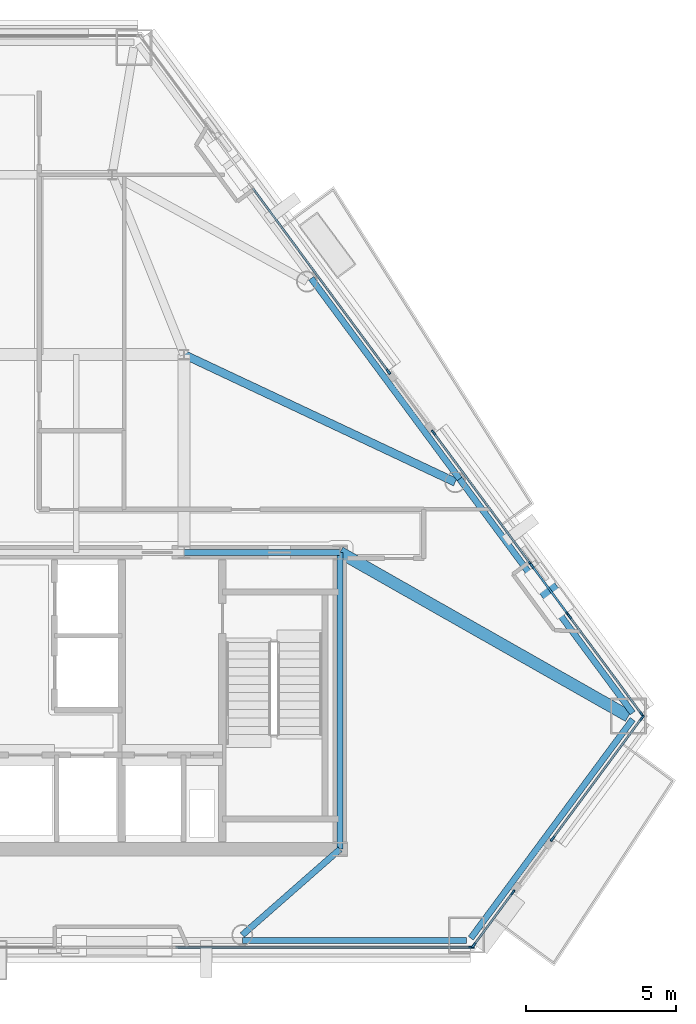
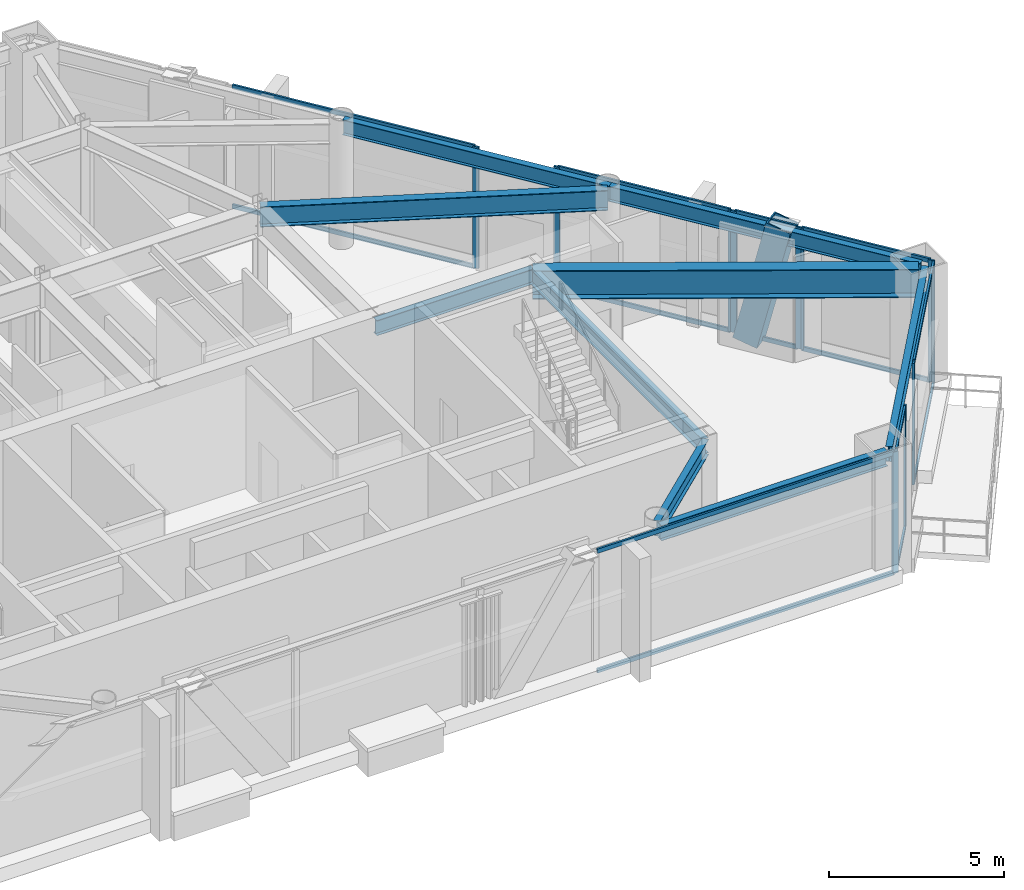
# One storey, part 5 of 11: 27 members, 9 beams, 7 elements without a shape of their own.
"""IFC4 building model written with IfcOpenShell, lengths in metres."""

from ifc_helpers import new_model, si_unit, direction, frame, origin, origin_2d, place, context, subcontext, project, spatial, rectangle, hollow_rectangle, i_section, extrude, material, layer, layer_set, material_profile, profile_set, type_object, element, aggregate, save


model = new_model("IFC4")

# Units and contexts
model_context = context("Model", 3, precision=1e-05, world=origin(), true_north=direction((0.0, 1.0)))
body_context = subcontext(model_context, "Body", "Model", "MODEL_VIEW")
ifc_project = project(units=[si_unit("LENGTHUNIT", "METRE"), si_unit("AREAUNIT", "SQUARE_METRE"), si_unit("VOLUMEUNIT", "CUBIC_METRE"), si_unit("PLANEANGLEUNIT", "RADIAN"), si_unit("MASSUNIT", "GRAM", prefix="KILO")], contexts=[model_context])

# Site, building, storey
site_placement = place(None, origin())
site = spatial("IfcSite", under=ifc_project, at=site_placement, CompositionType="ELEMENT")
building_placement = place(site_placement, origin())
building = spatial("IfcBuilding", under=site, at=building_placement, Name="Talgorran Terracotta Tower", CompositionType="ELEMENT")
storey_placement = place(building_placement, frame((0.0, 0.0, 117.60009765625)))
storey = spatial("IfcBuildingStorey", under=building, at=storey_placement, Name="L30", CompositionType="ELEMENT", Elevation=117.60009765625)

# Beams
ifc_material_1 = material(Name="Steel Grade 350 (350L0)", Category="steel")
ifc_material_profile_1 = material_profile(ifc_material_1, i_section(OverallWidth=0.39990234375, OverallDepth=1.0, WebThickness=0.01611328125, FlangeThickness=0.031005859375, at=origin_2d()), Name="1000WB296")
ifc_profile_set_1 = profile_set([ifc_material_profile_1], Name="Steel Grade 350 (350L0)")
beam_type_1 = type_object("IfcBeamType", Name="BM_1000WB296", PredefinedType="BEAM", material=ifc_profile_set_1)
beam_1_placement = place(storey_placement, frame((12.39990234375, -4.199951171875, 3.75), z_axis=(0.869581927132, -0.493788691654, 0.0), x_axis=(0.493788691654, 0.869581927132, 0.0)))
element("IfcBeam", 1, at=beam_1_placement, inside=storey, type_object=beam_type_1, Name="L30 Floor Girder G18", PredefinedType="BEAM", context=body_context, shape_type="SweptSolid", body=[
    extrude(i_section(OverallWidth=0.39990234375, OverallDepth=1.0, WebThickness=0.01611328125, FlangeThickness=0.031005859375, at=origin_2d()), origin(), (0.0, 0.0, 1.0), 11.061279296875),
])
ifc_material_2 = material(Name="Steel S355 (300PLUS)", Category="steel")
ifc_material_profile_2 = material_profile(ifc_material_2, i_section(OverallWidth=0.27490234375, OverallDepth=0.7080078125, WebThickness=0.011962890625, FlangeThickness=0.02490234375, at=origin_2d()), Name="700WB173")
ifc_profile_set_2 = profile_set([ifc_material_profile_2], Name="Steel S355 (300PLUS)")
beam_type_2 = type_object("IfcBeamType", Name="BM_700WB173", PredefinedType="BEAM", material=ifc_profile_set_2)
beam_2_placement = place(storey_placement, frame((7.199951171875, 2.39990234375, 3.89599609375), z_axis=(0.904850249914, -0.425729990992, 0.0), x_axis=(0.425729990992, 0.904850249914, 0.0)))
element("IfcBeam", 2, at=beam_2_placement, inside=storey, type_object=beam_type_2, Name="L30 Floor Girder G07", PredefinedType="BEAM", context=body_context, shape_type="SweptSolid", body=[
    extrude(i_section(OverallWidth=0.27490234375, OverallDepth=0.7080078125, WebThickness=0.011962890625, FlangeThickness=0.02490234375, at=origin_2d()), origin(), (0.0, 0.0, 1.0), 9.99609375),
])
ifc_material_profile_3 = material_profile(ifc_material_2, i_section(OverallWidth=0.209228515625, OverallDepth=0.532958984375, WebThickness=0.01025390625, FlangeThickness=0.015625, at=origin_2d()), Name="530UB92.4")
ifc_profile_set_3 = profile_set([ifc_material_profile_3], Name="Steel S355 (300PLUS)")
beam_type_3 = type_object("IfcBeamType", Name="BM_SP_530UB92", PredefinedType="SPANDREL", material=ifc_profile_set_3)
beam_3_placement = place(storey_placement, frame((9.14013671875, -17.143310546875, 3.9833984375), z_axis=(1.0, 0.0, 0.0), x_axis=(0.0, 1.0, 0.0)))
element("IfcBeam", 3, at=beam_3_placement, inside=storey, type_object=beam_type_3, Name="L30 Perimeter Spandrel Beam FC2-MC3", PredefinedType="SPANDREL", context=body_context, shape_type="SweptSolid", body=[
    extrude(i_section(OverallWidth=0.209228515625, OverallDepth=0.532958984375, WebThickness=0.01025390625, FlangeThickness=0.015625, at=origin_2d()), origin(), (0.0, 0.0, 1.0), 7.478271484375),
])
beam_4_placement = place(storey_placement, frame((16.762939453125, -17.0703125, 3.9833984375), z_axis=(0.594631406603, 0.803998439228, 0.0), x_axis=(-0.803998439228, 0.594631406603, 0.0)))
element("IfcBeam", 4, at=beam_4_placement, inside=storey, type_object=beam_type_3, Name="L30 Perimeter Spandrel Beam MC3-MC4", PredefinedType="SPANDREL", context=body_context, shape_type="SweptSolid", body=[
    extrude(i_section(OverallWidth=0.209228515625, OverallDepth=0.532958984375, WebThickness=0.01025390625, FlangeThickness=0.015625, at=origin_2d()), origin(), (0.0, 0.0, 1.0), 9.08154296875),
])
beam_5_placement = place(storey_placement, frame((22.1630859375, -9.554931640625, 3.9833984375), z_axis=(-0.594623640759, 0.804004182732, 0.0), x_axis=(-0.804004182732, -0.594623640759, 0.0)))
element("IfcBeam", 5, at=beam_5_placement, inside=storey, type_object=beam_type_3, Name="L30 Perimeter Spandrel Beam MC4-FC3", PredefinedType="SPANDREL", context=body_context, shape_type="SweptSolid", body=[
    extrude(i_section(OverallWidth=0.209228515625, OverallDepth=0.532958984375, WebThickness=0.01025390625, FlangeThickness=0.015625, at=origin_2d()), origin(), (0.0, 0.0, 1.0), 9.70947265625),
])
beam_6_placement = place(storey_placement, frame((16.3896484375, -1.74853515625, 3.9833984375), z_axis=(-0.594631062308, 0.803998693866, 0.0), x_axis=(-0.803998693866, -0.594631062308, 0.0)))
element("IfcBeam", 6, at=beam_6_placement, inside=storey, type_object=beam_type_3, Name="L30 Perimeter Spandrel Beam FC3-FC4", PredefinedType="SPANDREL", context=body_context, shape_type="SweptSolid", body=[
    extrude(i_section(OverallWidth=0.209228515625, OverallDepth=0.532958984375, WebThickness=0.01025390625, FlangeThickness=0.015625, at=origin_2d()), origin(), (0.0, 0.0, 1.0), 8.322265625),
])
beam_7_placement = place(storey_placement, frame((12.39990234375, -14.10009765625, 3.9833984375), z_axis=(-0.751320451725, -0.659937556758, 0.0), x_axis=(0.659937556758, -0.751320451725, 0.0)))
element("IfcBeam", 7, at=beam_7_placement, inside=storey, type_object=beam_type_3, Name="L30 South-East Core Tie Beam", PredefinedType="SPANDREL", context=body_context, shape_type="SweptSolid", body=[
    extrude(i_section(OverallWidth=0.209228515625, OverallDepth=0.532958984375, WebThickness=0.01025390625, FlangeThickness=0.015625, at=origin_2d()), origin(), (0.0, 0.0, 1.0), 4.338623046875),
])
beam_8_placement = place(storey_placement, frame((12.39990234375, -14.10009765625, 3.9833984375), z_axis=(0.0, 1.0, 0.0), x_axis=(-1.0, 0.0, 0.0)))
element("IfcBeam", 8, at=beam_8_placement, inside=storey, type_object=beam_type_3, Name="L30 Core Frame Beam CFE", PredefinedType="SPANDREL", context=body_context, shape_type="SweptSolid", body=[
    extrude(i_section(OverallWidth=0.209228515625, OverallDepth=0.532958984375, WebThickness=0.01025390625, FlangeThickness=0.015625, at=origin_2d()), origin(), (0.0, 0.0, 1.0), 9.900146484375),
])
beam_9_placement = place(storey_placement, frame((7.199951171875, -4.199951171875, 3.9833984375), z_axis=(1.0, 0.0, 0.0), x_axis=(0.0, 1.0, 0.0)))
element("IfcBeam", 9, at=beam_9_placement, inside=storey, type_object=beam_type_3, Name="L30 Core Frame Beam CFN4", PredefinedType="SPANDREL", context=body_context, shape_type="SweptSolid", body=[
    extrude(i_section(OverallWidth=0.209228515625, OverallDepth=0.532958984375, WebThickness=0.01025390625, FlangeThickness=0.015625, at=origin_2d()), origin(), (0.0, 0.0, 1.0), 5.199951171875),
])

# Member
ifc_material_profile_4 = material_profile(ifc_material_1, hollow_rectangle(XDim=0.6201171875, YDim=0.780029296875, WallThickness=0.0419921875, at=origin_2d()), Name="WBOX780X620X42")
ifc_profile_set_4 = profile_set([ifc_material_profile_4], Name="Steel Grade 350 (350L0)")
member_type_1 = type_object("IfcMemberType", Name="MB_MEGA_780", PredefinedType="BRACE", material=ifc_profile_set_4)
member_1_placement = place(storey_placement, frame((19.063720703125, -5.06103515625, -0.025146484375), z_axis=(0.140147963335, -0.189530808683, 0.971821290636), x_axis=(0.804054507608, 0.594555589323, 0.0)))
element("IfcMember", 10, at=member_1_placement, inside=storey, type_object=member_type_1, Name="L30 Exterior Face Mega-Brace MB-2 (NEL)", PredefinedType="BRACE", context=body_context, shape_type="SweptSolid", body=[
    extrude(hollow_rectangle(XDim=0.6201171875, YDim=0.780029296875, WallThickness=0.0419921875, at=origin_2d()), origin(), (0.0, 0.0, 1.0), 4.4248046875),
])

# Curtain wall, member
ifc_material_3 = material(Name="Unitised Low-E Double Glazing", Category="glass")
ifc_layer = layer(ifc_material_3, 0.199951171875, Name="CW_SYS2_RES_LOW")
ifc_layer_set = layer_set([ifc_layer], Name="Unitised Low-E Double Glazing")
curtain_wall_type = type_object("IfcCurtainWallType", Name="CW_SYS2_RES_LOW", PredefinedType="NOTDEFINED", material=ifc_layer_set)
curtain_wall_1_placement = place(storey_placement, origin())
curtain_wall_1 = element("IfcCurtainWall", 11, at=curtain_wall_1_placement, inside=storey, type_object=curtain_wall_type, Name="CW-L30-F1E", PredefinedType="NOTDEFINED")
ifc_material_4 = material(Name="Architectural Aluminium 6063-T6", Category="aluminium")
ifc_material_profile_5 = material_profile(ifc_material_4, rectangle(XDim=0.06494140625, YDim=0.18505859375, at=origin_2d()), Name="CWM65X185")
ifc_profile_set_5 = profile_set([ifc_material_profile_5], Name="Architectural Aluminium 6063-T6")
member_type_2 = type_object("IfcMemberType", Name="MUL_65X185", PredefinedType="MULLION", material=ifc_profile_set_5)
member_2_placement = place(storey_placement, frame((16.78759765625, -17.36328125, 0.0), z_axis=(0.0, 0.0, 1.0), x_axis=(0.0, 1.0, 0.0)))
member_2 = element("IfcMember", 12, at=member_2_placement, type_object=member_type_2, Name="CW-L30-1E mullion 2", PredefinedType="MULLION", context=body_context, shape_type="SweptSolid", body=[
    extrude(rectangle(XDim=0.06494140625, YDim=0.18505859375, at=origin_2d()), origin(), (0.0, 0.0, 1.0), 4.25),
])

# Curtain wall, members
curtain_wall_2_placement = place(storey_placement, origin())
curtain_wall_2 = element("IfcCurtainWall", 13, at=curtain_wall_2_placement, inside=storey, type_object=curtain_wall_type, Name="CW-L30-F30", PredefinedType="NOTDEFINED")
member_3_placement = place(storey_placement, frame((16.863037109375, -17.304931640625, 0.0), z_axis=(0.0, 0.0, 1.0), x_axis=(-0.803996537397, 0.594633978052, 0.0)))
member_3 = element("IfcMember", 14, at=member_3_placement, type_object=member_type_2, Name="CW-L30-30 mullion 1", PredefinedType="MULLION", context=body_context, shape_type="SweptSolid", body=[
    extrude(rectangle(XDim=0.06494140625, YDim=0.18505859375, at=origin_2d()), origin(), (0.0, 0.0, 1.0), 4.25),
])
member_4_placement = place(storey_placement, frame((18.16650390625, -15.542724609375, 0.0), z_axis=(0.0, 0.0, 1.0), x_axis=(-0.803996537397, 0.594633978052, 0.0)))
member_4 = element("IfcMember", 15, at=member_4_placement, type_object=member_type_2, Name="CW-L30-30 mullion 2", PredefinedType="MULLION", context=body_context, shape_type="SweptSolid", body=[
    extrude(rectangle(XDim=0.06494140625, YDim=0.18505859375, at=origin_2d()), origin(), (0.0, 0.0, 1.0), 4.25),
])

curtain_wall_3_placement = place(storey_placement, origin())
curtain_wall_3 = element("IfcCurtainWall", 16, at=curtain_wall_3_placement, inside=storey, type_object=curtain_wall_type, Name="CW-L30-F31", PredefinedType="NOTDEFINED")
member_5_placement = place(storey_placement, frame((19.489501953125, -13.75390625, 0.0), z_axis=(0.0, 0.0, 1.0), x_axis=(-0.80398921678, 0.594643876032, 0.0)))
member_5 = element("IfcMember", 17, at=member_5_placement, type_object=member_type_2, Name="CW-L30-31 mullion 1", PredefinedType="MULLION", context=body_context, shape_type="SweptSolid", body=[
    extrude(rectangle(XDim=0.06494140625, YDim=0.18505859375, at=origin_2d()), origin(), (0.0, 0.0, 1.0), 4.25),
])
member_6_placement = place(storey_placement, frame((22.472900390625, -9.72021484375, 0.0), z_axis=(0.0, 0.0, 1.0), x_axis=(-0.80398921678, 0.594643876032, 0.0)))
member_6 = element("IfcMember", 18, at=member_6_placement, type_object=member_type_2, Name="CW-L30-31 mullion 2", PredefinedType="MULLION", context=body_context, shape_type="SweptSolid", body=[
    extrude(rectangle(XDim=0.06494140625, YDim=0.18505859375, at=origin_2d()), origin(), (0.0, 0.0, 1.0), 4.25),
])

curtain_wall_4_placement = place(storey_placement, origin())
curtain_wall_4 = element("IfcCurtainWall", 19, at=curtain_wall_4_placement, inside=storey, type_object=curtain_wall_type, Name="CW-L30-F40", PredefinedType="NOTDEFINED")
member_7_placement = place(storey_placement, frame((22.472900390625, -9.603515625, 0.0), z_axis=(0.0, 0.0, 1.0), x_axis=(-0.803987119323, -0.594646711891, 0.0)))
member_7 = element("IfcMember", 20, at=member_7_placement, type_object=member_type_2, Name="CW-L30-40 mullion 1", PredefinedType="MULLION", context=body_context, shape_type="SweptSolid", body=[
    extrude(rectangle(XDim=0.06494140625, YDim=0.18505859375, at=origin_2d()), origin(), (0.0, 0.0, 1.0), 4.25),
])
member_8_placement = place(storey_placement, frame((20.052734375, -6.33154296875, 0.0), z_axis=(0.0, 0.0, 1.0), x_axis=(-0.803987119323, -0.594646711891, 0.0)))
member_8 = element("IfcMember", 21, at=member_8_placement, type_object=member_type_2, Name="CW-L30-40 mullion 2", PredefinedType="MULLION", context=body_context, shape_type="SweptSolid", body=[
    extrude(rectangle(XDim=0.06494140625, YDim=0.18505859375, at=origin_2d()), origin(), (0.0, 0.0, 1.0), 4.25),
])

curtain_wall_5_placement = place(storey_placement, origin())
curtain_wall_5 = element("IfcCurtainWall", 22, at=curtain_wall_5_placement, inside=storey, type_object=curtain_wall_type, Name="CW-L30-F40B", PredefinedType="NOTDEFINED")
member_9_placement = place(storey_placement, frame((20.008056640625, -6.271240234375, 0.0), z_axis=(0.0, 0.0, 1.0), x_axis=(-0.803999196065, -0.594630383286, 0.0)))
member_9 = element("IfcMember", 23, at=member_9_placement, type_object=member_type_2, Name="CW-L30-40B mullion 1", PredefinedType="MULLION", context=body_context, shape_type="SweptSolid", body=[
    extrude(rectangle(XDim=0.06494140625, YDim=0.18505859375, at=origin_2d()), origin(), (0.0, 0.0, 1.0), 4.25),
])
member_10_placement = place(storey_placement, frame((18.803466796875, -4.642333984375, 0.0), z_axis=(0.0, 0.0, 1.0), x_axis=(-0.803999196065, -0.594630383286, 0.0)))
member_10 = element("IfcMember", 24, at=member_10_placement, type_object=member_type_2, Name="CW-L30-40B mullion 2", PredefinedType="MULLION", context=body_context, shape_type="SweptSolid", body=[
    extrude(rectangle(XDim=0.06494140625, YDim=0.18505859375, at=origin_2d()), origin(), (0.0, 0.0, 1.0), 4.25),
])

curtain_wall_6_placement = place(storey_placement, origin())
curtain_wall_6 = element("IfcCurtainWall", 25, at=curtain_wall_6_placement, inside=storey, type_object=curtain_wall_type, Name="CW-L30-F40C", PredefinedType="NOTDEFINED")
member_11_placement = place(storey_placement, frame((18.7587890625, -4.581787109375, 0.0), z_axis=(0.0, 0.0, 1.0), x_axis=(-0.80399257176, -0.594639339898, 0.0)))
member_11 = element("IfcMember", 26, at=member_11_placement, type_object=member_type_2, Name="CW-L30-40C mullion 1", PredefinedType="MULLION", context=body_context, shape_type="SweptSolid", body=[
    extrude(rectangle(XDim=0.06494140625, YDim=0.18505859375, at=origin_2d()), origin(), (0.0, 0.0, 1.0), 4.25),
])
member_12_placement = place(storey_placement, frame((15.518310546875, -0.200439453125, 0.0), z_axis=(0.0, 0.0, 1.0), x_axis=(-0.80399257176, -0.594639339898, 0.0)))
member_12 = element("IfcMember", 27, at=member_12_placement, type_object=member_type_2, Name="CW-L30-40C mullion 2", PredefinedType="MULLION", context=body_context, shape_type="SweptSolid", body=[
    extrude(rectangle(XDim=0.06494140625, YDim=0.18505859375, at=origin_2d()), origin(), (0.0, 0.0, 1.0), 4.25),
])

# Curtain wall, member
curtain_wall_7_placement = place(storey_placement, origin())
curtain_wall_7 = element("IfcCurtainWall", 28, at=curtain_wall_7_placement, inside=storey, type_object=curtain_wall_type, Name="CW-L30-F41", PredefinedType="NOTDEFINED")
member_13_placement = place(storey_placement, frame((14.016845703125, 1.82958984375, 0.0), z_axis=(0.0, 0.0, 1.0), x_axis=(-0.803994229875, -0.594637098009, 0.0)))
member_13 = element("IfcMember", 29, at=member_13_placement, type_object=member_type_2, Name="CW-L30-41 mullion 1", PredefinedType="MULLION", context=body_context, shape_type="SweptSolid", body=[
    extrude(rectangle(XDim=0.06494140625, YDim=0.18505859375, at=origin_2d()), origin(), (0.0, 0.0, 1.0), 4.25),
])

# Member
ifc_material_profile_6 = material_profile(ifc_material_4, rectangle(XDim=0.06494140625, YDim=0.14990234375, at=origin_2d()), Name="CWT65X150")
ifc_profile_set_6 = profile_set([ifc_material_profile_6], Name="Architectural Aluminium 6063-T6")
member_type_3 = type_object("IfcMemberType", Name="TRN_65X150", PredefinedType="USERDEFINED", material=ifc_profile_set_6)
member_14_placement = place(storey_placement, frame((6.9287109375, -17.36328125, 0.032470703125), z_axis=(1.0, 0.0, 0.0), x_axis=(0.0, 1.0, 0.0)))
member_14 = element("IfcMember", 30, at=member_14_placement, type_object=member_type_3, Name="CW-L30-1E transom 1.1", ObjectType="TRANSOM", PredefinedType="USERDEFINED", context=body_context, shape_type="SweptSolid", body=[
    extrude(rectangle(XDim=0.06494140625, YDim=0.14990234375, at=origin_2d()), origin(), (0.0, 0.0, 1.0), 9.826171875),
])

member_15_placement = place(storey_placement, frame((6.9287109375, -17.36328125, 4.21728515625), z_axis=(1.0, 0.0, 0.0), x_axis=(0.0, 1.0, 0.0)))
member_15 = element("IfcMember", 31, at=member_15_placement, type_object=member_type_3, Name="CW-L30-1E transom 1.2", ObjectType="TRANSOM", PredefinedType="USERDEFINED", context=body_context, shape_type="SweptSolid", body=[
    extrude(rectangle(XDim=0.06494140625, YDim=0.14990234375, at=origin_2d()), origin(), (0.0, 0.0, 1.0), 9.826171875),
])

aggregate(curtain_wall_1, [member_2, member_14, member_15])

member_16_placement = place(storey_placement, frame((16.882568359375, -17.27880859375, 0.032470703125), z_axis=(0.594623427254, 0.804004340635, 0.0), x_axis=(-0.804004340635, 0.594623427254, 0.0)))
member_16 = element("IfcMember", 32, at=member_16_placement, type_object=member_type_3, Name="CW-L30-30 transom 1.1", ObjectType="TRANSOM", PredefinedType="USERDEFINED", context=body_context, shape_type="SweptSolid", body=[
    extrude(rectangle(XDim=0.06494140625, YDim=0.14990234375, at=origin_2d()), origin(), (0.0, 0.0, 1.0), 2.126708984375),
])

member_17_placement = place(storey_placement, frame((16.882568359375, -17.27880859375, 4.21728515625), z_axis=(0.594623427254, 0.804004340635, 0.0), x_axis=(-0.804004340635, 0.594623427254, 0.0)))
member_17 = element("IfcMember", 33, at=member_17_placement, type_object=member_type_3, Name="CW-L30-30 transom 1.2", ObjectType="TRANSOM", PredefinedType="USERDEFINED", context=body_context, shape_type="SweptSolid", body=[
    extrude(rectangle(XDim=0.06494140625, YDim=0.14990234375, at=origin_2d()), origin(), (0.0, 0.0, 1.0), 2.126708984375),
])

aggregate(curtain_wall_2, [member_3, member_4, member_16, member_17])

member_18_placement = place(storey_placement, frame((19.5087890625, -13.727783203125, 0.032470703125), z_axis=(0.594654403539, 0.803981430353, 0.0), x_axis=(-0.803981430353, 0.594654403539, 0.0)))
member_18 = element("IfcMember", 34, at=member_18_placement, type_object=member_type_3, Name="CW-L30-31 transom 1.1", ObjectType="TRANSOM", PredefinedType="USERDEFINED", context=body_context, shape_type="SweptSolid", body=[
    extrude(rectangle(XDim=0.06494140625, YDim=0.14990234375, at=origin_2d()), origin(), (0.0, 0.0, 1.0), 4.9521484375),
])

member_19_placement = place(storey_placement, frame((19.5087890625, -13.727783203125, 4.21728515625), z_axis=(0.594654403539, 0.803981430353, 0.0), x_axis=(-0.803981430353, 0.594654403539, 0.0)))
member_19 = element("IfcMember", 35, at=member_19_placement, type_object=member_type_3, Name="CW-L30-31 transom 1.2", ObjectType="TRANSOM", PredefinedType="USERDEFINED", context=body_context, shape_type="SweptSolid", body=[
    extrude(rectangle(XDim=0.06494140625, YDim=0.14990234375, at=origin_2d()), origin(), (0.0, 0.0, 1.0), 4.9521484375),
])

aggregate(curtain_wall_3, [member_5, member_6, member_18, member_19])

member_20_placement = place(storey_placement, frame((22.45361328125, -9.577392578125, 0.032470703125), z_axis=(-0.594680702051, 0.803961978335, 0.0), x_axis=(-0.803961978335, -0.594680702051, 0.0)))
member_20 = element("IfcMember", 36, at=member_20_placement, type_object=member_type_3, Name="CW-L30-40 transom 1.1", ObjectType="TRANSOM", PredefinedType="USERDEFINED", context=body_context, shape_type="SweptSolid", body=[
    extrude(rectangle(XDim=0.06494140625, YDim=0.14990234375, at=origin_2d()), origin(), (0.0, 0.0, 1.0), 4.0048828125),
])

member_21_placement = place(storey_placement, frame((22.45361328125, -9.577392578125, 4.21728515625), z_axis=(-0.594680702051, 0.803961978335, 0.0), x_axis=(-0.803961978335, -0.594680702051, 0.0)))
member_21 = element("IfcMember", 37, at=member_21_placement, type_object=member_type_3, Name="CW-L30-40 transom 1.2", ObjectType="TRANSOM", PredefinedType="USERDEFINED", context=body_context, shape_type="SweptSolid", body=[
    extrude(rectangle(XDim=0.06494140625, YDim=0.14990234375, at=origin_2d()), origin(), (0.0, 0.0, 1.0), 4.0048828125),
])

aggregate(curtain_wall_4, [member_7, member_8, member_20, member_21])

member_22_placement = place(storey_placement, frame((19.98876953125, -6.2451171875, 0.032470703125), z_axis=(-0.594608075901, 0.804015693922, 0.0), x_axis=(-0.804015693922, -0.594608075901, 0.0)))
member_22 = element("IfcMember", 38, at=member_22_placement, type_object=member_type_3, Name="CW-L30-40B transom 1.1", ObjectType="TRANSOM", PredefinedType="USERDEFINED", context=body_context, shape_type="SweptSolid", body=[
    extrude(rectangle(XDim=0.06494140625, YDim=0.14990234375, at=origin_2d()), origin(), (0.0, 0.0, 1.0), 1.9609375),
])

member_23_placement = place(storey_placement, frame((19.98876953125, -6.2451171875, 4.21728515625), z_axis=(-0.594608075901, 0.804015693922, 0.0), x_axis=(-0.804015693922, -0.594608075901, 0.0)))
member_23 = element("IfcMember", 39, at=member_23_placement, type_object=member_type_3, Name="CW-L30-40B transom 1.2", ObjectType="TRANSOM", PredefinedType="USERDEFINED", context=body_context, shape_type="SweptSolid", body=[
    extrude(rectangle(XDim=0.06494140625, YDim=0.14990234375, at=origin_2d()), origin(), (0.0, 0.0, 1.0), 1.9609375),
])

aggregate(curtain_wall_5, [member_9, member_10, member_22, member_23])

member_24_placement = place(storey_placement, frame((18.739501953125, -4.5556640625, 0.032470703125), z_axis=(-0.594647279643, 0.8039866994, 0.0), x_axis=(-0.8039866994, -0.594647279643, 0.0)))
member_24 = element("IfcMember", 40, at=member_24_placement, type_object=member_type_3, Name="CW-L30-40C transom 1.1", ObjectType="TRANSOM", PredefinedType="USERDEFINED", context=body_context, shape_type="SweptSolid", body=[
    extrude(rectangle(XDim=0.06494140625, YDim=0.14990234375, at=origin_2d()), origin(), (0.0, 0.0, 1.0), 5.384521484375),
])

member_25_placement = place(storey_placement, frame((18.739501953125, -4.5556640625, 4.21728515625), z_axis=(-0.594647279643, 0.8039866994, 0.0), x_axis=(-0.8039866994, -0.594647279643, 0.0)))
member_25 = element("IfcMember", 41, at=member_25_placement, type_object=member_type_3, Name="CW-L30-40C transom 1.2", ObjectType="TRANSOM", PredefinedType="USERDEFINED", context=body_context, shape_type="SweptSolid", body=[
    extrude(rectangle(XDim=0.06494140625, YDim=0.14990234375, at=origin_2d()), origin(), (0.0, 0.0, 1.0), 5.384521484375),
])

aggregate(curtain_wall_6, [member_11, member_12, member_24, member_25])

member_26_placement = place(storey_placement, frame((13.99755859375, 1.855712890625, 0.032470703125), z_axis=(-0.594636723373, 0.803994506957, 0.0), x_axis=(-0.803994506957, -0.594636723373, 0.0)))
member_26 = element("IfcMember", 42, at=member_26_placement, type_object=member_type_3, Name="CW-L30-41 transom 1.1", ObjectType="TRANSOM", PredefinedType="USERDEFINED", context=body_context, shape_type="SweptSolid", body=[
    extrude(rectangle(XDim=0.06494140625, YDim=0.14990234375, at=origin_2d()), origin(), (0.0, 0.0, 1.0), 7.57177734375),
])

member_27_placement = place(storey_placement, frame((13.99755859375, 1.855712890625, 4.21728515625), z_axis=(-0.594636723373, 0.803994506957, 0.0), x_axis=(-0.803994506957, -0.594636723373, 0.0)))
member_27 = element("IfcMember", 43, at=member_27_placement, type_object=member_type_3, Name="CW-L30-41 transom 1.2", ObjectType="TRANSOM", PredefinedType="USERDEFINED", context=body_context, shape_type="SweptSolid", body=[
    extrude(rectangle(XDim=0.06494140625, YDim=0.14990234375, at=origin_2d()), origin(), (0.0, 0.0, 1.0), 7.57177734375),
])

aggregate(curtain_wall_7, [member_13, member_26, member_27])

save(model, "model.ifc")
